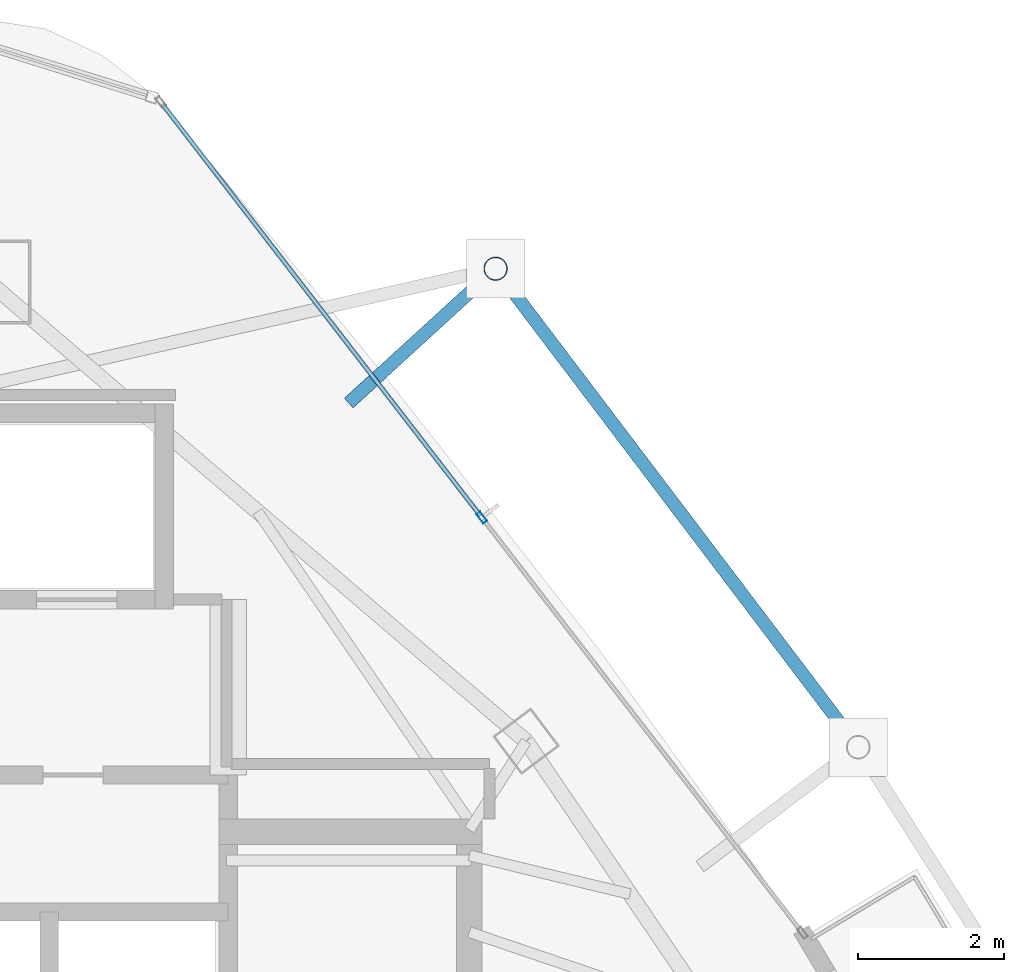
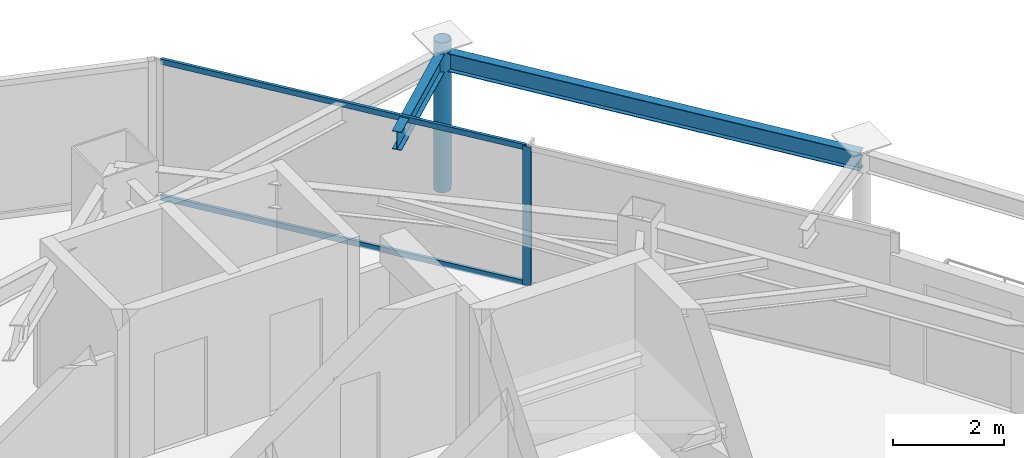
# One storey, part 22 of 29: 4 members, 2 beams, 1 element without a shape of its own.
"""IFC4 building model written with IfcOpenShell, lengths in metres."""

from ifc_helpers import new_model, si_unit, direction, frame, origin, origin_2d, place, context, subcontext, project, spatial, hollow_rectangle, hollow_circle, i_section, extrude, material, layer, layer_set, material_profile, profile_set, type_object, element, aggregate, save


model = new_model("IFC4")

# Units and contexts
model_context = context("Model", 3, precision=1e-05, world=origin(), true_north=direction((0.0, 1.0)))
body_context = subcontext(model_context, "Body", "Model", "MODEL_VIEW")
ifc_project = project(units=[si_unit("LENGTHUNIT", "METRE"), si_unit("AREAUNIT", "SQUARE_METRE"), si_unit("VOLUMEUNIT", "CUBIC_METRE"), si_unit("PLANEANGLEUNIT", "RADIAN"), si_unit("MASSUNIT", "GRAM", prefix="KILO")], contexts=[model_context])

# Site, building, storey
site_placement = place(None, origin())
site = spatial("IfcSite", under=ifc_project, at=site_placement, CompositionType="ELEMENT")
building_placement = place(site_placement, origin())
building = spatial("IfcBuilding", under=site, at=building_placement, Name="Orvanel Arch Residences", CompositionType="ELEMENT")
storey_placement = place(building_placement, frame((0.0, 0.0, 256.85009765625)))
storey = spatial("IfcBuildingStorey", under=building, at=storey_placement, Name="L73", CompositionType="ELEMENT", Elevation=256.85009765625)

# Curtain wall, member
ifc_material_1 = material(Name="Bronze-anodised aluminium AA6063-T6", Category="aluminium")
ifc_layer = layer(ifc_material_1, 0.175048828125)
ifc_layer_set = layer_set([ifc_layer], Name="Bronze-anodised aluminium AA6063-T6")
curtain_wall_type = type_object("IfcCurtainWallType", Name="CW4-HI-SYS", PredefinedType="NOTDEFINED", material=ifc_layer_set)
curtain_wall_placement = place(storey_placement, origin())
curtain_wall = element("IfcCurtainWall", 1, at=curtain_wall_placement, inside=storey, type_object=curtain_wall_type, Name="L73 CW4-HI-SYS Unitised Curtain Wall", PredefinedType="NOTDEFINED")
ifc_material_profile_1 = material_profile(ifc_material_1, hollow_rectangle(XDim=0.06494140625, YDim=0.159912109375, WallThickness=0.00390625, at=origin_2d()), Name="ALU160x65x4")
ifc_profile_set_1 = profile_set([ifc_material_profile_1], Name="Bronze-anodised aluminium AA6063-T6")
member_type_1 = type_object("IfcMemberType", Name="MUL-160x65", PredefinedType="MULLION", material=ifc_profile_set_1)
member_1_placement = place(storey_placement, frame((39.744384765625, 38.174072265625, 0.0), z_axis=(0.0, 0.0, 1.0), x_axis=(-0.791336812136, -0.611380446006, 0.0)))
member_1 = element("IfcMember", 2, at=member_1_placement, type_object=member_type_1, Name="CW-S4 mullion 2", PredefinedType="MULLION", context=body_context, shape_type="SweptSolid", body=[
    extrude(hollow_rectangle(XDim=0.06494140625, YDim=0.159912109375, WallThickness=0.00390625, at=origin_2d()), origin(), (0.0, 0.0, 1.0), 3.059814453125),
])

# Beams
ifc_material_2 = material(Name="Structural steel AS/NZS 3679.1 Grade 300 (300 MPa)", Category="steel")
ifc_material_profile_2 = material_profile(ifc_material_2, i_section(OverallWidth=0.177978515625, OverallDepth=0.406005859375, WebThickness=0.0078125, FlangeThickness=0.0126953125, at=origin_2d()), Name="410UB59.7")
ifc_profile_set_2 = profile_set([ifc_material_profile_2], Name="Structural steel AS/NZS 3679.1 Grade 300 (300 MPa)")
beam_type = type_object("IfcBeamType", Name="OB-410UB-EXT", PredefinedType="SPANDREL", material=ifc_profile_set_2)
beam_1_placement = place(storey_placement, frame((44.89697265625, 35.031005859375, 2.85693359375), z_axis=(-0.604028729674, 0.796962542237, 0.0), x_axis=(-0.796962542237, -0.604028729674, 0.0)))
element("IfcBeam", 3, at=beam_1_placement, inside=storey, type_object=beam_type, Name="L73 Outer Perimeter Floor Ring Beam 11", PredefinedType="SPANDREL", context=body_context, shape_type="SweptSolid", body=[
    extrude(i_section(OverallWidth=0.177978515625, OverallDepth=0.406005859375, WebThickness=0.0078125, FlangeThickness=0.0126953125, at=origin_2d()), origin(), (0.0, 0.0, 1.0), 8.21630859375),
])
beam_2_placement = place(storey_placement, frame((37.924072265625, 39.740966796875, 2.85693359375), z_axis=(0.737953561408, 0.674851495668, 0.0), x_axis=(-0.674851495668, 0.737953561408, 0.0)))
element("IfcBeam", 4, at=beam_2_placement, inside=storey, type_object=beam_type, Name="L73 Outer Frame Radial Tie Beam 12", PredefinedType="SPANDREL", context=body_context, shape_type="SweptSolid", body=[
    extrude(i_section(OverallWidth=0.177978515625, OverallDepth=0.406005859375, WebThickness=0.0078125, FlangeThickness=0.0126953125, at=origin_2d()), origin(), (0.0, 0.0, 1.0), 2.723876953125),
])

# Member
ifc_material_3 = material(Name="Structural steel AS/NZS 1163 C350L0 (Grade 350)", Category="steel")
ifc_material_profile_3 = material_profile(ifc_material_3, hollow_circle(Radius=0.162109375, WallThickness=0.0126953125, at=origin_2d()), Name="CHS324x12.7")
ifc_profile_set_3 = profile_set([ifc_material_profile_3], Name="Structural steel AS/NZS 1163 C350L0 (Grade 350)")
member_type_2 = type_object("IfcMemberType", Name="ST-324CHS-EXT", PredefinedType="STRUT", material=ifc_profile_set_3)
member_2_placement = place(storey_placement, frame((39.93408203125, 41.5791015625, 0.0), z_axis=(0.0, 0.0, 1.0), x_axis=(1.0, 0.0, 0.0)))
element("IfcMember", 5, at=member_2_placement, inside=storey, type_object=member_type_2, Name="L73 Outer Perimeter Frame Post 12", PredefinedType="STRUT", context=body_context, shape_type="SweptSolid", body=[
    extrude(hollow_circle(Radius=0.162109375, WallThickness=0.0126953125, at=origin_2d()), origin(), (0.0, 0.0, 1.0), 3.2998046875),
])

ifc_material_profile_4 = material_profile(ifc_material_1, hollow_rectangle(XDim=0.06005859375, YDim=0.1201171875, WallThickness=0.00341796875, at=origin_2d()), Name="ALU120x60x3.5")
ifc_profile_set_4 = profile_set([ifc_material_profile_4], Name="Bronze-anodised aluminium AA6063-T6")
member_type_3 = type_object("IfcMemberType", Name="TRN-120x60", PredefinedType="USERDEFINED", material=ifc_profile_set_4)
member_3_placement = place(storey_placement, frame((39.724609375, 38.19970703125, 0.02978515625), z_axis=(-0.611375262604, 0.791340816763, 0.0), x_axis=(-0.791340816763, -0.611375262604, 0.0)))
member_3 = element("IfcMember", 6, at=member_3_placement, type_object=member_type_3, Name="CW-S4 transom 2.1", ObjectType="TRANSOM", PredefinedType="USERDEFINED", context=body_context, shape_type="SweptSolid", body=[
    extrude(hollow_rectangle(XDim=0.06005859375, YDim=0.1201171875, WallThickness=0.00341796875, at=origin_2d()), origin(), (0.0, 0.0, 1.0), 7.1181640625),
])

member_4_placement = place(storey_placement, frame((39.724609375, 38.19970703125, 3.02978515625), z_axis=(-0.611375262604, 0.791340816763, 0.0), x_axis=(-0.791340816763, -0.611375262604, 0.0)))
member_4 = element("IfcMember", 7, at=member_4_placement, type_object=member_type_3, Name="CW-S4 transom 2.2", ObjectType="TRANSOM", PredefinedType="USERDEFINED", context=body_context, shape_type="SweptSolid", body=[
    extrude(hollow_rectangle(XDim=0.06005859375, YDim=0.1201171875, WallThickness=0.00341796875, at=origin_2d()), origin(), (0.0, 0.0, 1.0), 7.1181640625),
])

aggregate(curtain_wall, [member_1, member_3, member_4])

save(model, "model.ifc")
